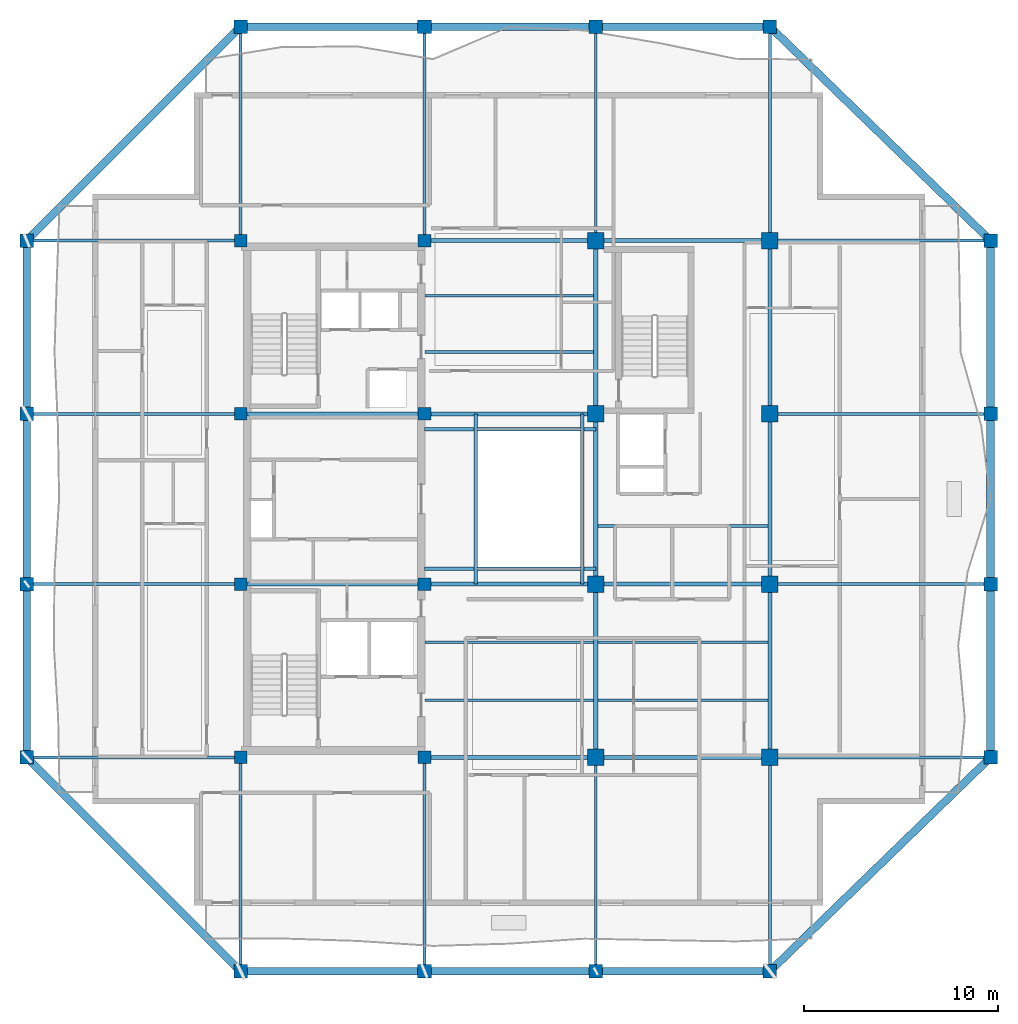
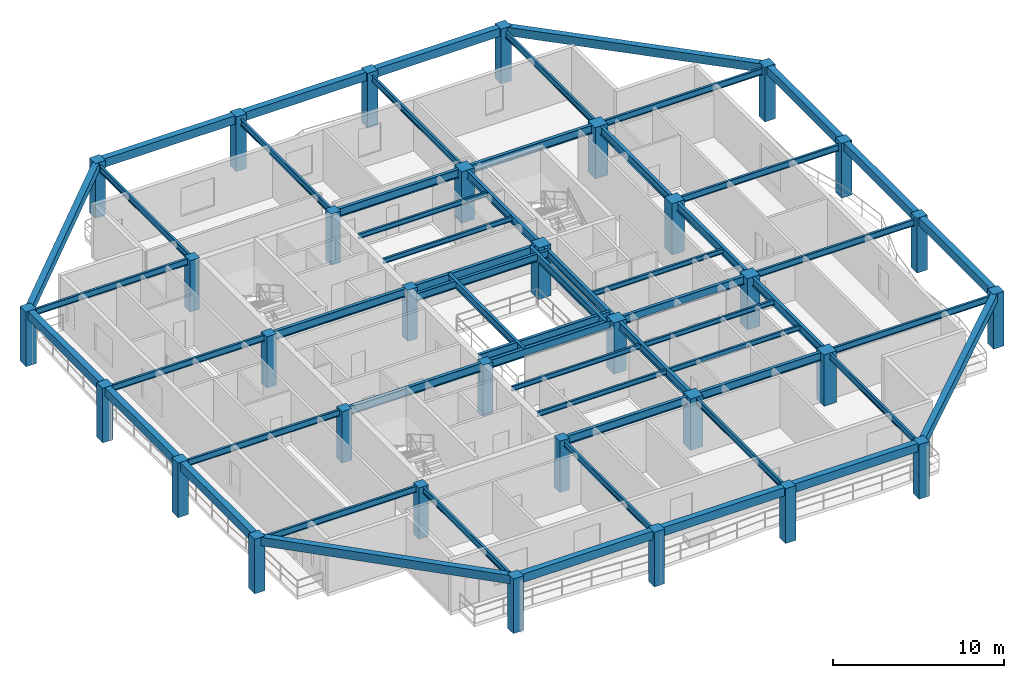
# One storey, part 1 of 11: 58 beams, 32 columns.
"""IFC4 building model written with IfcOpenShell, lengths in metres."""

from ifc_helpers import new_model, si_unit, direction, frame, origin, origin_2d, place, context, subcontext, project, spatial, rectangle, i_section, extrude, material, material_profile, profile_set, type_object, element, save


model = new_model("IFC4")

# Units and contexts
model_context = context("Model", 3, precision=1e-05, world=origin(), true_north=direction((0.0, 1.0)))
body_context = subcontext(model_context, "Body", "Model", "MODEL_VIEW")
ifc_project = project(units=[si_unit("LENGTHUNIT", "METRE"), si_unit("AREAUNIT", "SQUARE_METRE"), si_unit("VOLUMEUNIT", "CUBIC_METRE"), si_unit("PLANEANGLEUNIT", "RADIAN"), si_unit("MASSUNIT", "GRAM", prefix="KILO")], contexts=[model_context])

# Site, building, storey
site_placement = place(None, origin())
site = spatial("IfcSite", under=ifc_project, at=site_placement, CompositionType="ELEMENT")
building_placement = place(site_placement, origin())
building = spatial("IfcBuilding", under=site, at=building_placement, Name="Kundavana Baori Tower", CompositionType="ELEMENT")
storey_placement = place(building_placement, frame((0.0, 0.0, 253.10009765625)))
storey = spatial("IfcBuildingStorey", under=building, at=storey_placement, Name="L62", CompositionType="ELEMENT", Elevation=253.10009765625)

# Columns
ifc_material_1 = material(Name="Concrete C50/60", Category="concrete")
ifc_material_profile_1 = material_profile(ifc_material_1, rectangle(XDim=0.699951171875, YDim=0.699951171875, at=origin_2d()), Name="RC PF 700x700")
ifc_profile_set_1 = profile_set([ifc_material_profile_1], Name="Concrete C50/60")
column_type_1 = type_object("IfcColumnType", Name="COL-PF-700", PredefinedType="COLUMN", material=ifc_profile_set_1)
for number, where, z_axis, x_axis, name in (
    (1, (15.449951171875, 4.199951171875, 0.0), (0.0, 0.0, 1.0), (1.0, 0.0, 0.0), "L62 Stone-Clad Perimeter Frame Column PF-S1"),
    (2, (15.449951171875, 53.0, 0.0), (0.0, 0.0, 1.0), (1.0, 0.0, 0.0), "L62 Stone-Clad Perimeter Frame Column PF-N1"),
    (3, (24.949951171875, 4.199951171875, 0.0), (0.0, 0.0, 1.0), (1.0, 0.0, 0.0), "L62 Stone-Clad Perimeter Frame Column PF-S2"),
    (4, (24.949951171875, 53.0, 0.0), (0.0, 0.0, 1.0), (1.0, 0.0, 0.0), "L62 Stone-Clad Perimeter Frame Column PF-N2"),
    (5, (33.800048828125, 4.199951171875, 0.0), (0.0, 0.0, 1.0), (1.0, 0.0, 0.0), "L62 Stone-Clad Perimeter Frame Column PF-S3"),
    (6, (33.800048828125, 53.0, 0.0), (0.0, 0.0, 1.0), (1.0, 0.0, 0.0), "L62 Stone-Clad Perimeter Frame Column PF-N3"),
    (7, (42.800048828125, 4.199951171875, 0.0), (0.0, 0.0, 1.0), (1.0, 0.0, 0.0), "L62 Stone-Clad Perimeter Frame Column PF-S4"),
    (8, (42.800048828125, 53.0, 0.0), (0.0, 0.0, 1.0), (1.0, 0.0, 0.0), "L62 Stone-Clad Perimeter Frame Column PF-N4"),
    (9, (4.39990234375, 15.25, 0.0), (0.0, 0.0, 1.0), (1.0, 0.0, 0.0), "L62 Stone-Clad Perimeter Frame Column PF-W1"),
    (10, (54.199951171875, 15.25, 0.0), (0.0, 0.0, 1.0), (1.0, 0.0, 0.0), "L62 Stone-Clad Perimeter Frame Column PF-E1"),
    (11, (4.39990234375, 24.199951171875, 0.0), (0.0, 0.0, 1.0), (1.0, 0.0, 0.0), "L62 Stone-Clad Perimeter Frame Column PF-W2"),
    (12, (54.199951171875, 24.199951171875, 0.0), (0.0, 0.0, 1.0), (1.0, 0.0, 0.0), "L62 Stone-Clad Perimeter Frame Column PF-E2"),
    (13, (4.39990234375, 33.0, 0.0), (0.0, 0.0, 1.0), (1.0, 0.0, 0.0), "L62 Stone-Clad Perimeter Frame Column PF-W3"),
    (14, (54.199951171875, 33.0, 0.0), (0.0, 0.0, 1.0), (1.0, 0.0, 0.0), "L62 Stone-Clad Perimeter Frame Column PF-E3"),
    (15, (4.39990234375, 41.949951171875, 0.0), (0.0, 0.0, 1.0), (1.0, 0.0, 0.0), "L62 Stone-Clad Perimeter Frame Column PF-W4"),
    (16, (54.199951171875, 41.949951171875, 0.0), (0.0, 0.0, 1.0), (1.0, 0.0, 0.0), "L62 Stone-Clad Perimeter Frame Column PF-E4"),
):
    element("IfcColumn", number, at=place(storey_placement, frame(where, z_axis=z_axis, x_axis=x_axis)), inside=storey, type_object=column_type_1, Name=name, PredefinedType="COLUMN", context=body_context, shape_type="SweptSolid", body=[
        extrude(rectangle(XDim=0.699951171875, YDim=0.699951171875, at=origin_2d()), origin(), (0.0, 0.0, 1.0), 3.89990234375),
    ])
ifc_material_2 = material(Name="Concrete C50/60", Category="concrete")
ifc_material_profile_2 = material_profile(ifc_material_2, rectangle(XDim=0.64990234375, YDim=0.64990234375, at=origin_2d()), Name="RC 650x650")
ifc_profile_set_2 = profile_set([ifc_material_profile_2], Name="Concrete C50/60")
column_type_2 = type_object("IfcColumnType", Name="COL-RC-650", PredefinedType="COLUMN", material=ifc_profile_set_2)
for number, where, z_axis, x_axis, name in (
    (17, (15.449951171875, 15.25, 0.0), (0.0, 0.0, 1.0), (1.0, 0.0, 0.0), "L62 Interior Column IC-3C"),
    (18, (15.449951171875, 24.199951171875, 0.0), (0.0, 0.0, 1.0), (1.0, 0.0, 0.0), "L62 Interior Column IC-3D"),
    (19, (15.449951171875, 33.0, 0.0), (0.0, 0.0, 1.0), (1.0, 0.0, 0.0), "L62 Interior Column IC-3E"),
    (20, (15.449951171875, 41.949951171875, 0.0), (0.0, 0.0, 1.0), (1.0, 0.0, 0.0), "L62 Interior Column IC-3F"),
    (21, (24.949951171875, 15.25, 0.0), (0.0, 0.0, 1.0), (1.0, 0.0, 0.0), "L62 Interior Column IC-4C"),
    (22, (24.949951171875, 24.199951171875, 0.0), (0.0, 0.0, 1.0), (1.0, 0.0, 0.0), "L62 Interior Column IC-4D"),
    (23, (24.949951171875, 33.0, 0.0), (0.0, 0.0, 1.0), (1.0, 0.0, 0.0), "L62 Interior Column IC-4E"),
    (24, (24.949951171875, 41.949951171875, 0.0), (0.0, 0.0, 1.0), (1.0, 0.0, 0.0), "L62 Interior Column IC-4F"),
):
    element("IfcColumn", number, at=place(storey_placement, frame(where, z_axis=z_axis, x_axis=x_axis)), inside=storey, type_object=column_type_2, Name=name, PredefinedType="COLUMN", context=body_context, shape_type="SweptSolid", body=[
        extrude(rectangle(XDim=0.64990234375, YDim=0.64990234375, at=origin_2d()), origin(), (0.0, 0.0, 1.0), 3.659912109375),
    ])
ifc_material_3 = material(Name="Concrete C50/60", Category="concrete")
ifc_material_profile_3 = material_profile(ifc_material_3, rectangle(XDim=0.85009765625, YDim=0.85009765625, at=origin_2d()), Name="RC 850x850")
ifc_profile_set_3 = profile_set([ifc_material_profile_3], Name="Concrete C50/60")
column_type_3 = type_object("IfcColumnType", Name="COL-RC-850", PredefinedType="COLUMN", material=ifc_profile_set_3)
for number, where, z_axis, x_axis, name in (
    (25, (33.800048828125, 15.25, 0.0), (0.0, 0.0, 1.0), (1.0, 0.0, 0.0), "L62 Interior Column IC-5C"),
    (26, (33.800048828125, 24.199951171875, 0.0), (0.0, 0.0, 1.0), (1.0, 0.0, 0.0), "L62 Interior Column IC-5D"),
    (27, (33.800048828125, 33.0, 0.0), (0.0, 0.0, 1.0), (1.0, 0.0, 0.0), "L62 Interior Column IC-5E"),
    (28, (33.800048828125, 41.949951171875, 0.0), (0.0, 0.0, 1.0), (1.0, 0.0, 0.0), "L62 Interior Column IC-5F"),
    (29, (42.800048828125, 15.25, 0.0), (0.0, 0.0, 1.0), (1.0, 0.0, 0.0), "L62 Interior Column IC-6C"),
    (30, (42.800048828125, 24.199951171875, 0.0), (0.0, 0.0, 1.0), (1.0, 0.0, 0.0), "L62 Interior Column IC-6D"),
    (31, (42.800048828125, 33.0, 0.0), (0.0, 0.0, 1.0), (1.0, 0.0, 0.0), "L62 Interior Column IC-6E"),
    (32, (42.800048828125, 41.949951171875, 0.0), (0.0, 0.0, 1.0), (1.0, 0.0, 0.0), "L62 Interior Column IC-6F"),
):
    element("IfcColumn", number, at=place(storey_placement, frame(where, z_axis=z_axis, x_axis=x_axis)), inside=storey, type_object=column_type_3, Name=name, PredefinedType="COLUMN", context=body_context, shape_type="SweptSolid", body=[
        extrude(rectangle(XDim=0.85009765625, YDim=0.85009765625, at=origin_2d()), origin(), (0.0, 0.0, 1.0), 3.659912109375),
    ])

# Beams
ifc_material_4 = material(Name="Structural Steel S355JR", Category="steel")
ifc_material_profile_4 = material_profile(ifc_material_4, i_section(OverallWidth=0.139892578125, OverallDepth=0.35009765625, WebThickness=0.008056640625, FlangeThickness=0.01416015625, FilletRadius=0.013916015625, at=origin_2d()), Name="ISMB 350")
ifc_profile_set_4 = profile_set([ifc_material_profile_4], Name="Structural Steel S355JR")
beam_type_1 = type_object("IfcBeamType", Name="BM-JST-350", PredefinedType="JOIST", material=ifc_profile_set_4)
for number, where, z_axis, x_axis, name in (
    (33, (24.97998046875, 18.199951171875, 3.48486328125), (1.0, 0.0, 0.0), (0.0, 1.0, 0.0), "L62 Central Bay Composite Floor Joist C1"),
    (34, (24.97998046875, 21.199951171875, 3.48486328125), (1.0, 0.0, 0.0), (0.0, 1.0, 0.0), "L62 Central Bay Composite Floor Joist C2"),
    (35, (24.97998046875, 36.199951171875, 3.48486328125), (1.0, 0.0, 0.0), (0.0, 1.0, 0.0), "L62 Central Bay Composite Floor Joist C3"),
    (36, (24.97998046875, 39.10009765625, 3.48486328125), (1.0, 0.0, 0.0), (0.0, 1.0, 0.0), "L62 Central Bay Composite Floor Joist C4"),
):
    element("IfcBeam", number, at=place(storey_placement, frame(where, z_axis=z_axis, x_axis=x_axis)), inside=storey, type_object=beam_type_1, Name=name, PredefinedType="JOIST", context=body_context, shape_type="SweptSolid", body=[
        extrude(i_section(OverallWidth=0.139892578125, OverallDepth=0.35009765625, WebThickness=0.008056640625, FlangeThickness=0.01416015625, FilletRadius=0.013916015625, at=origin_2d()), origin(), (0.0, 0.0, 1.0), 8.715087890625),
    ])
for number, where, z_axis, x_axis, name in (
    (37, (33.905029296875, 18.199951171875, 3.48486328125), (1.0, 0.0, 0.0), (0.0, 1.0, 0.0), "L62 East Bay Composite Floor Joist E1"),
    (38, (33.905029296875, 21.199951171875, 3.48486328125), (1.0, 0.0, 0.0), (0.0, 1.0, 0.0), "L62 East Bay Composite Floor Joist E2"),
    (39, (33.905029296875, 27.199951171875, 3.48486328125), (1.0, 0.0, 0.0), (0.0, 1.0, 0.0), "L62 East Bay Composite Floor Joist E3"),
):
    element("IfcBeam", number, at=place(storey_placement, frame(where, z_axis=z_axis, x_axis=x_axis)), inside=storey, type_object=beam_type_1, Name=name, PredefinedType="JOIST", context=body_context, shape_type="SweptSolid", body=[
        extrude(i_section(OverallWidth=0.139892578125, OverallDepth=0.35009765625, WebThickness=0.008056640625, FlangeThickness=0.01416015625, FilletRadius=0.013916015625, at=origin_2d()), origin(), (0.0, 0.0, 1.0), 8.7900390625),
    ])
ifc_material_5 = material(Name="Concrete C50/60", Category="concrete")
ifc_material_profile_5 = material_profile(ifc_material_5, rectangle(XDim=0.39990234375, YDim=0.60009765625, at=origin_2d()), Name="RC BM 400x600")
ifc_profile_set_5 = profile_set([ifc_material_profile_5], Name="Concrete C50/60")
beam_type_2 = type_object("IfcBeamType", Name="BM-PF-600", PredefinedType="SPANDREL", material=ifc_profile_set_5)
beam_1_placement = place(storey_placement, frame((15.449951171875, 4.199951171875, 3.599853515625), z_axis=(1.0, 0.0, 0.0), x_axis=(0.0, 1.0, 0.0)))
element("IfcBeam", 40, at=beam_1_placement, inside=storey, type_object=beam_type_2, Name="L62 Perimeter Frame Ring Beam S1", PredefinedType="SPANDREL", context=body_context, shape_type="SweptSolid", body=[
    extrude(rectangle(XDim=0.39990234375, YDim=0.60009765625, at=origin_2d()), origin(), (0.0, 0.0, 1.0), 9.5),
])
beam_2_placement = place(storey_placement, frame((24.949951171875, 4.199951171875, 3.599853515625), z_axis=(1.0, 0.0, 0.0), x_axis=(0.0, 1.0, 0.0)))
element("IfcBeam", 41, at=beam_2_placement, inside=storey, type_object=beam_type_2, Name="L62 Perimeter Frame Ring Beam S2", PredefinedType="SPANDREL", context=body_context, shape_type="SweptSolid", body=[
    extrude(rectangle(XDim=0.39990234375, YDim=0.60009765625, at=origin_2d()), origin(), (0.0, 0.0, 1.0), 8.85009765625),
])
beam_3_placement = place(storey_placement, frame((33.800048828125, 4.199951171875, 3.599853515625), z_axis=(1.0, 0.0, 0.0), x_axis=(0.0, 1.0, 0.0)))
element("IfcBeam", 42, at=beam_3_placement, inside=storey, type_object=beam_type_2, Name="L62 Perimeter Frame Ring Beam S3", PredefinedType="SPANDREL", context=body_context, shape_type="SweptSolid", body=[
    extrude(rectangle(XDim=0.39990234375, YDim=0.60009765625, at=origin_2d()), origin(), (0.0, 0.0, 1.0), 9.0),
])
beam_4_placement = place(storey_placement, frame((15.449951171875, 53.0, 3.599853515625), z_axis=(1.0, 0.0, 0.0), x_axis=(0.0, 1.0, 0.0)))
element("IfcBeam", 43, at=beam_4_placement, inside=storey, type_object=beam_type_2, Name="L62 Perimeter Frame Ring Beam N1", PredefinedType="SPANDREL", context=body_context, shape_type="SweptSolid", body=[
    extrude(rectangle(XDim=0.39990234375, YDim=0.60009765625, at=origin_2d()), origin(), (0.0, 0.0, 1.0), 9.5),
])
beam_5_placement = place(storey_placement, frame((24.949951171875, 53.0, 3.599853515625), z_axis=(1.0, 0.0, 0.0), x_axis=(0.0, 1.0, 0.0)))
element("IfcBeam", 44, at=beam_5_placement, inside=storey, type_object=beam_type_2, Name="L62 Perimeter Frame Ring Beam N2", PredefinedType="SPANDREL", context=body_context, shape_type="SweptSolid", body=[
    extrude(rectangle(XDim=0.39990234375, YDim=0.60009765625, at=origin_2d()), origin(), (0.0, 0.0, 1.0), 8.85009765625),
])
beam_6_placement = place(storey_placement, frame((33.800048828125, 53.0, 3.599853515625), z_axis=(1.0, 0.0, 0.0), x_axis=(0.0, 1.0, 0.0)))
element("IfcBeam", 45, at=beam_6_placement, inside=storey, type_object=beam_type_2, Name="L62 Perimeter Frame Ring Beam N3", PredefinedType="SPANDREL", context=body_context, shape_type="SweptSolid", body=[
    extrude(rectangle(XDim=0.39990234375, YDim=0.60009765625, at=origin_2d()), origin(), (0.0, 0.0, 1.0), 9.0),
])
beam_7_placement = place(storey_placement, frame((4.39990234375, 15.25, 3.599853515625), z_axis=(0.0, 1.0, 0.0), x_axis=(-1.0, 0.0, 0.0)))
element("IfcBeam", 46, at=beam_7_placement, inside=storey, type_object=beam_type_2, Name="L62 Perimeter Frame Ring Beam W1", PredefinedType="SPANDREL", context=body_context, shape_type="SweptSolid", body=[
    extrude(rectangle(XDim=0.39990234375, YDim=0.60009765625, at=origin_2d()), origin(), (0.0, 0.0, 1.0), 8.949951171875),
])
beam_8_placement = place(storey_placement, frame((4.39990234375, 24.199951171875, 3.599853515625), z_axis=(0.0, 1.0, 0.0), x_axis=(-1.0, 0.0, 0.0)))
element("IfcBeam", 47, at=beam_8_placement, inside=storey, type_object=beam_type_2, Name="L62 Perimeter Frame Ring Beam W2", PredefinedType="SPANDREL", context=body_context, shape_type="SweptSolid", body=[
    extrude(rectangle(XDim=0.39990234375, YDim=0.60009765625, at=origin_2d()), origin(), (0.0, 0.0, 1.0), 8.800048828125),
])
for number, where, z_axis, x_axis, name in (
    (48, (4.39990234375, 33.0, 3.599853515625), (0.0, 1.0, 0.0), (-1.0, 0.0, 0.0), "L62 Perimeter Frame Ring Beam W3"),
    (49, (54.199951171875, 15.25, 3.599853515625), (0.0, 1.0, 0.0), (-1.0, 0.0, 0.0), "L62 Perimeter Frame Ring Beam E1"),
):
    element("IfcBeam", number, at=place(storey_placement, frame(where, z_axis=z_axis, x_axis=x_axis)), inside=storey, type_object=beam_type_2, Name=name, PredefinedType="SPANDREL", context=body_context, shape_type="SweptSolid", body=[
        extrude(rectangle(XDim=0.39990234375, YDim=0.60009765625, at=origin_2d()), origin(), (0.0, 0.0, 1.0), 8.949951171875),
    ])
beam_9_placement = place(storey_placement, frame((54.199951171875, 24.199951171875, 3.599853515625), z_axis=(0.0, 1.0, 0.0), x_axis=(-1.0, 0.0, 0.0)))
element("IfcBeam", 50, at=beam_9_placement, inside=storey, type_object=beam_type_2, Name="L62 Perimeter Frame Ring Beam E2", PredefinedType="SPANDREL", context=body_context, shape_type="SweptSolid", body=[
    extrude(rectangle(XDim=0.39990234375, YDim=0.60009765625, at=origin_2d()), origin(), (0.0, 0.0, 1.0), 8.800048828125),
])
beam_10_placement = place(storey_placement, frame((54.199951171875, 33.0, 3.599853515625), z_axis=(0.0, 1.0, 0.0), x_axis=(-1.0, 0.0, 0.0)))
element("IfcBeam", 51, at=beam_10_placement, inside=storey, type_object=beam_type_2, Name="L62 Perimeter Frame Ring Beam E3", PredefinedType="SPANDREL", context=body_context, shape_type="SweptSolid", body=[
    extrude(rectangle(XDim=0.39990234375, YDim=0.60009765625, at=origin_2d()), origin(), (0.0, 0.0, 1.0), 8.949951171875),
])
beam_11_placement = place(storey_placement, frame((15.449951171875, 4.199951171875, 3.599853515625), z_axis=(-0.707106781187, 0.707106781187, 0.0), x_axis=(-0.707106781187, -0.707106781187, 0.0)))
element("IfcBeam", 52, at=beam_11_placement, inside=storey, type_object=beam_type_2, Name="L62 Notched Corner Perimeter Beam SW", PredefinedType="SPANDREL", context=body_context, shape_type="SweptSolid", body=[
    extrude(rectangle(XDim=0.39990234375, YDim=0.60009765625, at=origin_2d()), origin(), (0.0, 0.0, 1.0), 15.627197265625),
])
beam_12_placement = place(storey_placement, frame((42.800048828125, 4.199951171875, 3.599853515625), z_axis=(0.718038944492, 0.696002926857, 0.0), x_axis=(-0.696002926857, 0.718038944492, 0.0)))
element("IfcBeam", 53, at=beam_12_placement, inside=storey, type_object=beam_type_2, Name="L62 Notched Corner Perimeter Beam SE", PredefinedType="SPANDREL", context=body_context, shape_type="SweptSolid", body=[
    extrude(rectangle(XDim=0.39990234375, YDim=0.60009765625, at=origin_2d()), origin(), (0.0, 0.0, 1.0), 15.87646484375),
])
beam_13_placement = place(storey_placement, frame((15.449951171875, 53.0, 3.599853515625), z_axis=(-0.707106781187, -0.707106781187, 0.0), x_axis=(0.707106781187, -0.707106781187, 0.0)))
element("IfcBeam", 54, at=beam_13_placement, inside=storey, type_object=beam_type_2, Name="L62 Notched Corner Perimeter Beam NW", PredefinedType="SPANDREL", context=body_context, shape_type="SweptSolid", body=[
    extrude(rectangle(XDim=0.39990234375, YDim=0.60009765625, at=origin_2d()), origin(), (0.0, 0.0, 1.0), 15.627197265625),
])
beam_14_placement = place(storey_placement, frame((42.800048828125, 53.0, 3.599853515625), z_axis=(0.718038944492, -0.696002926857, 0.0), x_axis=(0.696002926857, 0.718038944492, 0.0)))
element("IfcBeam", 55, at=beam_14_placement, inside=storey, type_object=beam_type_2, Name="L62 Notched Corner Perimeter Beam NE", PredefinedType="SPANDREL", context=body_context, shape_type="SweptSolid", body=[
    extrude(rectangle(XDim=0.39990234375, YDim=0.60009765625, at=origin_2d()), origin(), (0.0, 0.0, 1.0), 15.87646484375),
])
ifc_material_6 = material(Name="Structural Steel S355JR", Category="steel")
ifc_material_profile_6 = material_profile(ifc_material_6, i_section(OverallWidth=0.18994140625, OverallDepth=0.550048828125, WebThickness=0.01123046875, FlangeThickness=0.019287109375, FilletRadius=0.01806640625, at=origin_2d()), Name="ISMB 550")
ifc_profile_set_6 = profile_set([ifc_material_profile_6], Name="Structural Steel S355JR")
beam_type_3 = type_object("IfcBeamType", Name="BM-ST-550", PredefinedType="BEAM", material=ifc_profile_set_6)
for number, where, z_axis, x_axis, name in (
    (56, (27.60009765625, 24.199951171875, 3.385009765625), (0.0, 1.0, 0.0), (-1.0, 0.0, 0.0), "L62 Atrium West Edge Beam"),
    (57, (33.10009765625, 24.199951171875, 3.385009765625), (0.0, 1.0, 0.0), (-1.0, 0.0, 0.0), "L62 Atrium East Edge Beam"),
):
    element("IfcBeam", number, at=place(storey_placement, frame(where, z_axis=z_axis, x_axis=x_axis)), inside=storey, type_object=beam_type_3, Name=name, PredefinedType="BEAM", context=body_context, shape_type="SweptSolid", body=[
        extrude(i_section(OverallWidth=0.18994140625, OverallDepth=0.550048828125, WebThickness=0.01123046875, FlangeThickness=0.019287109375, FilletRadius=0.01806640625, at=origin_2d()), origin(), (0.0, 0.0, 1.0), 8.800048828125),
    ])
for number, where, z_axis, x_axis, name in (
    (58, (24.949951171875, 25.0, 3.385009765625), (1.0, 0.0, 0.0), (0.0, 1.0, 0.0), "L62 Atrium South Edge Beam"),
    (59, (24.949951171875, 32.199951171875, 3.385009765625), (1.0, 0.0, 0.0), (0.0, 1.0, 0.0), "L62 Atrium North Edge Beam"),
):
    element("IfcBeam", number, at=place(storey_placement, frame(where, z_axis=z_axis, x_axis=x_axis)), inside=storey, type_object=beam_type_3, Name=name, PredefinedType="BEAM", context=body_context, shape_type="SweptSolid", body=[
        extrude(i_section(OverallWidth=0.18994140625, OverallDepth=0.550048828125, WebThickness=0.01123046875, FlangeThickness=0.019287109375, FilletRadius=0.01806640625, at=origin_2d()), origin(), (0.0, 0.0, 1.0), 8.85009765625),
    ])
ifc_material_7 = material(Name="Structural Steel S355JR", Category="steel")
ifc_material_profile_7 = material_profile(ifc_material_7, i_section(OverallWidth=0.2099609375, OverallDepth=0.60009765625, WebThickness=0.011962890625, FlangeThickness=0.020751953125, FilletRadius=0.02001953125, at=origin_2d()), Name="ISMB 600")
ifc_profile_set_7 = profile_set([ifc_material_profile_7], Name="Structural Steel S355JR")
beam_type_4 = type_object("IfcBeamType", Name="BM-ST-600", PredefinedType="BEAM", material=ifc_profile_set_7)
beam_15_placement = place(storey_placement, frame((24.949951171875, 15.25, 3.35986328125), z_axis=(1.0, 0.0, 0.0), x_axis=(0.0, 1.0, 0.0)))
element("IfcBeam", 60, at=beam_15_placement, inside=storey, type_object=beam_type_4, Name="L62 Primary Grid Girder GX-1-2", PredefinedType="BEAM", context=body_context, shape_type="SweptSolid", body=[
    extrude(i_section(OverallWidth=0.2099609375, OverallDepth=0.60009765625, WebThickness=0.011962890625, FlangeThickness=0.020751953125, FilletRadius=0.02001953125, at=origin_2d()), origin(), (0.0, 0.0, 1.0), 8.85009765625),
])
beam_16_placement = place(storey_placement, frame((33.800048828125, 15.25, 3.35986328125), z_axis=(1.0, 0.0, 0.0), x_axis=(0.0, 1.0, 0.0)))
element("IfcBeam", 61, at=beam_16_placement, inside=storey, type_object=beam_type_4, Name="L62 Primary Grid Girder GX-1-3", PredefinedType="BEAM", context=body_context, shape_type="SweptSolid", body=[
    extrude(i_section(OverallWidth=0.2099609375, OverallDepth=0.60009765625, WebThickness=0.011962890625, FlangeThickness=0.020751953125, FilletRadius=0.02001953125, at=origin_2d()), origin(), (0.0, 0.0, 1.0), 9.0),
])
beam_17_placement = place(storey_placement, frame((15.449951171875, 24.199951171875, 3.35986328125), z_axis=(1.0, 0.0, 0.0), x_axis=(0.0, 1.0, 0.0)))
element("IfcBeam", 62, at=beam_17_placement, inside=storey, type_object=beam_type_4, Name="L62 Primary Grid Girder GX-2-1", PredefinedType="BEAM", context=body_context, shape_type="SweptSolid", body=[
    extrude(i_section(OverallWidth=0.2099609375, OverallDepth=0.60009765625, WebThickness=0.011962890625, FlangeThickness=0.020751953125, FilletRadius=0.02001953125, at=origin_2d()), origin(), (0.0, 0.0, 1.0), 9.5),
])
beam_18_placement = place(storey_placement, frame((24.949951171875, 24.199951171875, 3.35986328125), z_axis=(1.0, 0.0, 0.0), x_axis=(0.0, 1.0, 0.0)))
element("IfcBeam", 63, at=beam_18_placement, inside=storey, type_object=beam_type_4, Name="L62 Primary Grid Girder GX-2-2", PredefinedType="BEAM", context=body_context, shape_type="SweptSolid", body=[
    extrude(i_section(OverallWidth=0.2099609375, OverallDepth=0.60009765625, WebThickness=0.011962890625, FlangeThickness=0.020751953125, FilletRadius=0.02001953125, at=origin_2d()), origin(), (0.0, 0.0, 1.0), 8.85009765625),
])
beam_19_placement = place(storey_placement, frame((33.800048828125, 24.199951171875, 3.35986328125), z_axis=(1.0, 0.0, 0.0), x_axis=(0.0, 1.0, 0.0)))
element("IfcBeam", 64, at=beam_19_placement, inside=storey, type_object=beam_type_4, Name="L62 Primary Grid Girder GX-2-3", PredefinedType="BEAM", context=body_context, shape_type="SweptSolid", body=[
    extrude(i_section(OverallWidth=0.2099609375, OverallDepth=0.60009765625, WebThickness=0.011962890625, FlangeThickness=0.020751953125, FilletRadius=0.02001953125, at=origin_2d()), origin(), (0.0, 0.0, 1.0), 9.0),
])
beam_20_placement = place(storey_placement, frame((15.449951171875, 33.0, 3.35986328125), z_axis=(1.0, 0.0, 0.0), x_axis=(0.0, 1.0, 0.0)))
element("IfcBeam", 65, at=beam_20_placement, inside=storey, type_object=beam_type_4, Name="L62 Primary Grid Girder GX-3-1", PredefinedType="BEAM", context=body_context, shape_type="SweptSolid", body=[
    extrude(i_section(OverallWidth=0.2099609375, OverallDepth=0.60009765625, WebThickness=0.011962890625, FlangeThickness=0.020751953125, FilletRadius=0.02001953125, at=origin_2d()), origin(), (0.0, 0.0, 1.0), 9.5),
])
for number, where, z_axis, x_axis, name in (
    (66, (24.949951171875, 33.0, 3.35986328125), (1.0, 0.0, 0.0), (0.0, 1.0, 0.0), "L62 Primary Grid Girder GX-3-2"),
    (67, (24.949951171875, 41.949951171875, 3.35986328125), (1.0, 0.0, 0.0), (0.0, 1.0, 0.0), "L62 Primary Grid Girder GX-4-2"),
):
    element("IfcBeam", number, at=place(storey_placement, frame(where, z_axis=z_axis, x_axis=x_axis)), inside=storey, type_object=beam_type_4, Name=name, PredefinedType="BEAM", context=body_context, shape_type="SweptSolid", body=[
        extrude(i_section(OverallWidth=0.2099609375, OverallDepth=0.60009765625, WebThickness=0.011962890625, FlangeThickness=0.020751953125, FilletRadius=0.02001953125, at=origin_2d()), origin(), (0.0, 0.0, 1.0), 8.85009765625),
    ])
beam_21_placement = place(storey_placement, frame((33.800048828125, 41.949951171875, 3.35986328125), z_axis=(1.0, 0.0, 0.0), x_axis=(0.0, 1.0, 0.0)))
element("IfcBeam", 68, at=beam_21_placement, inside=storey, type_object=beam_type_4, Name="L62 Primary Grid Girder GX-4-3", PredefinedType="BEAM", context=body_context, shape_type="SweptSolid", body=[
    extrude(i_section(OverallWidth=0.2099609375, OverallDepth=0.60009765625, WebThickness=0.011962890625, FlangeThickness=0.020751953125, FilletRadius=0.02001953125, at=origin_2d()), origin(), (0.0, 0.0, 1.0), 9.0),
])
beam_22_placement = place(storey_placement, frame((33.800048828125, 15.25, 3.35986328125), z_axis=(0.0, 1.0, 0.0), x_axis=(-1.0, 0.0, 0.0)))
element("IfcBeam", 69, at=beam_22_placement, inside=storey, type_object=beam_type_4, Name="L62 Primary Grid Girder GY-3-1", PredefinedType="BEAM", context=body_context, shape_type="SweptSolid", body=[
    extrude(i_section(OverallWidth=0.2099609375, OverallDepth=0.60009765625, WebThickness=0.011962890625, FlangeThickness=0.020751953125, FilletRadius=0.02001953125, at=origin_2d()), origin(), (0.0, 0.0, 1.0), 8.949951171875),
])
beam_23_placement = place(storey_placement, frame((33.800048828125, 24.199951171875, 3.35986328125), z_axis=(0.0, 1.0, 0.0), x_axis=(-1.0, 0.0, 0.0)))
element("IfcBeam", 70, at=beam_23_placement, inside=storey, type_object=beam_type_4, Name="L62 Primary Grid Girder GY-3-2", PredefinedType="BEAM", context=body_context, shape_type="SweptSolid", body=[
    extrude(i_section(OverallWidth=0.2099609375, OverallDepth=0.60009765625, WebThickness=0.011962890625, FlangeThickness=0.020751953125, FilletRadius=0.02001953125, at=origin_2d()), origin(), (0.0, 0.0, 1.0), 8.800048828125),
])
for number, where, z_axis, x_axis, name in (
    (71, (33.800048828125, 33.0, 3.35986328125), (0.0, 1.0, 0.0), (-1.0, 0.0, 0.0), "L62 Primary Grid Girder GY-3-3"),
    (72, (42.800048828125, 15.25, 3.35986328125), (0.0, 1.0, 0.0), (-1.0, 0.0, 0.0), "L62 Primary Grid Girder GY-4-1"),
):
    element("IfcBeam", number, at=place(storey_placement, frame(where, z_axis=z_axis, x_axis=x_axis)), inside=storey, type_object=beam_type_4, Name=name, PredefinedType="BEAM", context=body_context, shape_type="SweptSolid", body=[
        extrude(i_section(OverallWidth=0.2099609375, OverallDepth=0.60009765625, WebThickness=0.011962890625, FlangeThickness=0.020751953125, FilletRadius=0.02001953125, at=origin_2d()), origin(), (0.0, 0.0, 1.0), 8.949951171875),
    ])
beam_24_placement = place(storey_placement, frame((42.800048828125, 24.199951171875, 3.35986328125), z_axis=(0.0, 1.0, 0.0), x_axis=(-1.0, 0.0, 0.0)))
element("IfcBeam", 73, at=beam_24_placement, inside=storey, type_object=beam_type_4, Name="L62 Primary Grid Girder GY-4-2", PredefinedType="BEAM", context=body_context, shape_type="SweptSolid", body=[
    extrude(i_section(OverallWidth=0.2099609375, OverallDepth=0.60009765625, WebThickness=0.011962890625, FlangeThickness=0.020751953125, FilletRadius=0.02001953125, at=origin_2d()), origin(), (0.0, 0.0, 1.0), 8.800048828125),
])
beam_25_placement = place(storey_placement, frame((42.800048828125, 33.0, 3.35986328125), z_axis=(0.0, 1.0, 0.0), x_axis=(-1.0, 0.0, 0.0)))
element("IfcBeam", 74, at=beam_25_placement, inside=storey, type_object=beam_type_4, Name="L62 Primary Grid Girder GY-4-3", PredefinedType="BEAM", context=body_context, shape_type="SweptSolid", body=[
    extrude(i_section(OverallWidth=0.2099609375, OverallDepth=0.60009765625, WebThickness=0.011962890625, FlangeThickness=0.020751953125, FilletRadius=0.02001953125, at=origin_2d()), origin(), (0.0, 0.0, 1.0), 8.949951171875),
])
ifc_material_8 = material(Name="Structural Steel S355JR", Category="steel")
ifc_material_profile_8 = material_profile(ifc_material_8, i_section(OverallWidth=0.14990234375, OverallDepth=0.449951171875, WebThickness=0.009521484375, FlangeThickness=0.017333984375, FilletRadius=0.014892578125, at=origin_2d()), Name="ISMB 450")
ifc_profile_set_8 = profile_set([ifc_material_profile_8], Name="Structural Steel S355JR")
beam_type_5 = type_object("IfcBeamType", Name="BM-TIE-450", PredefinedType="BEAM", material=ifc_profile_set_8)
for number, where, z_axis, x_axis, name in (
    (75, (15.449951171875, 15.25, 3.434814453125), (0.0, -1.0, 0.0), (1.0, 0.0, 0.0), "L62 South Radial Loggia Tie Beam S1"),
    (76, (15.449951171875, 41.949951171875, 3.434814453125), (0.0, 1.0, 0.0), (-1.0, 0.0, 0.0), "L62 North Radial Loggia Tie Beam N1"),
    (77, (24.949951171875, 15.25, 3.434814453125), (0.0, -1.0, 0.0), (1.0, 0.0, 0.0), "L62 South Radial Loggia Tie Beam S2"),
    (78, (24.949951171875, 41.949951171875, 3.434814453125), (0.0, 1.0, 0.0), (-1.0, 0.0, 0.0), "L62 North Radial Loggia Tie Beam N2"),
    (79, (33.800048828125, 15.25, 3.434814453125), (0.0, -1.0, 0.0), (1.0, 0.0, 0.0), "L62 South Radial Loggia Tie Beam S3"),
    (80, (33.800048828125, 41.949951171875, 3.434814453125), (0.0, 1.0, 0.0), (-1.0, 0.0, 0.0), "L62 North Radial Loggia Tie Beam N3"),
    (81, (42.800048828125, 15.25, 3.434814453125), (0.0, -1.0, 0.0), (1.0, 0.0, 0.0), "L62 South Radial Loggia Tie Beam S4"),
    (82, (42.800048828125, 41.949951171875, 3.434814453125), (0.0, 1.0, 0.0), (-1.0, 0.0, 0.0), "L62 North Radial Loggia Tie Beam N4"),
    (83, (15.449951171875, 15.25, 3.434814453125), (-1.0, 0.0, 0.0), (0.0, -1.0, 0.0), "L62 West Radial Loggia Tie Beam W1"),
):
    element("IfcBeam", number, at=place(storey_placement, frame(where, z_axis=z_axis, x_axis=x_axis)), inside=storey, type_object=beam_type_5, Name=name, PredefinedType="BEAM", context=body_context, shape_type="SweptSolid", body=[
        extrude(i_section(OverallWidth=0.14990234375, OverallDepth=0.449951171875, WebThickness=0.009521484375, FlangeThickness=0.017333984375, FilletRadius=0.014892578125, at=origin_2d()), origin(), (0.0, 0.0, 1.0), 11.050048828125),
    ])
beam_26_placement = place(storey_placement, frame((42.800048828125, 15.25, 3.434814453125), z_axis=(1.0, 0.0, 0.0), x_axis=(0.0, 1.0, 0.0)))
element("IfcBeam", 84, at=beam_26_placement, inside=storey, type_object=beam_type_5, Name="L62 East Radial Loggia Tie Beam E1", PredefinedType="BEAM", context=body_context, shape_type="SweptSolid", body=[
    extrude(i_section(OverallWidth=0.14990234375, OverallDepth=0.449951171875, WebThickness=0.009521484375, FlangeThickness=0.017333984375, FilletRadius=0.014892578125, at=origin_2d()), origin(), (0.0, 0.0, 1.0), 11.39990234375),
])
beam_27_placement = place(storey_placement, frame((15.449951171875, 24.199951171875, 3.434814453125), z_axis=(-1.0, 0.0, 0.0), x_axis=(0.0, -1.0, 0.0)))
element("IfcBeam", 85, at=beam_27_placement, inside=storey, type_object=beam_type_5, Name="L62 West Radial Loggia Tie Beam W2", PredefinedType="BEAM", context=body_context, shape_type="SweptSolid", body=[
    extrude(i_section(OverallWidth=0.14990234375, OverallDepth=0.449951171875, WebThickness=0.009521484375, FlangeThickness=0.017333984375, FilletRadius=0.014892578125, at=origin_2d()), origin(), (0.0, 0.0, 1.0), 11.050048828125),
])
beam_28_placement = place(storey_placement, frame((42.800048828125, 24.199951171875, 3.434814453125), z_axis=(1.0, 0.0, 0.0), x_axis=(0.0, 1.0, 0.0)))
element("IfcBeam", 86, at=beam_28_placement, inside=storey, type_object=beam_type_5, Name="L62 East Radial Loggia Tie Beam E2", PredefinedType="BEAM", context=body_context, shape_type="SweptSolid", body=[
    extrude(i_section(OverallWidth=0.14990234375, OverallDepth=0.449951171875, WebThickness=0.009521484375, FlangeThickness=0.017333984375, FilletRadius=0.014892578125, at=origin_2d()), origin(), (0.0, 0.0, 1.0), 11.39990234375),
])
beam_29_placement = place(storey_placement, frame((15.449951171875, 33.0, 3.434814453125), z_axis=(-1.0, 0.0, 0.0), x_axis=(0.0, -1.0, 0.0)))
element("IfcBeam", 87, at=beam_29_placement, inside=storey, type_object=beam_type_5, Name="L62 West Radial Loggia Tie Beam W3", PredefinedType="BEAM", context=body_context, shape_type="SweptSolid", body=[
    extrude(i_section(OverallWidth=0.14990234375, OverallDepth=0.449951171875, WebThickness=0.009521484375, FlangeThickness=0.017333984375, FilletRadius=0.014892578125, at=origin_2d()), origin(), (0.0, 0.0, 1.0), 11.050048828125),
])
beam_30_placement = place(storey_placement, frame((42.800048828125, 33.0, 3.434814453125), z_axis=(1.0, 0.0, 0.0), x_axis=(0.0, 1.0, 0.0)))
element("IfcBeam", 88, at=beam_30_placement, inside=storey, type_object=beam_type_5, Name="L62 East Radial Loggia Tie Beam E3", PredefinedType="BEAM", context=body_context, shape_type="SweptSolid", body=[
    extrude(i_section(OverallWidth=0.14990234375, OverallDepth=0.449951171875, WebThickness=0.009521484375, FlangeThickness=0.017333984375, FilletRadius=0.014892578125, at=origin_2d()), origin(), (0.0, 0.0, 1.0), 11.39990234375),
])
beam_31_placement = place(storey_placement, frame((15.449951171875, 41.949951171875, 3.434814453125), z_axis=(-1.0, 0.0, 0.0), x_axis=(0.0, -1.0, 0.0)))
element("IfcBeam", 89, at=beam_31_placement, inside=storey, type_object=beam_type_5, Name="L62 West Radial Loggia Tie Beam W4", PredefinedType="BEAM", context=body_context, shape_type="SweptSolid", body=[
    extrude(i_section(OverallWidth=0.14990234375, OverallDepth=0.449951171875, WebThickness=0.009521484375, FlangeThickness=0.017333984375, FilletRadius=0.014892578125, at=origin_2d()), origin(), (0.0, 0.0, 1.0), 11.050048828125),
])
beam_32_placement = place(storey_placement, frame((42.800048828125, 41.949951171875, 3.434814453125), z_axis=(1.0, 0.0, 0.0), x_axis=(0.0, 1.0, 0.0)))
element("IfcBeam", 90, at=beam_32_placement, inside=storey, type_object=beam_type_5, Name="L62 East Radial Loggia Tie Beam E4", PredefinedType="BEAM", context=body_context, shape_type="SweptSolid", body=[
    extrude(i_section(OverallWidth=0.14990234375, OverallDepth=0.449951171875, WebThickness=0.009521484375, FlangeThickness=0.017333984375, FilletRadius=0.014892578125, at=origin_2d()), origin(), (0.0, 0.0, 1.0), 11.39990234375),
])

save(model, "model.ifc")
